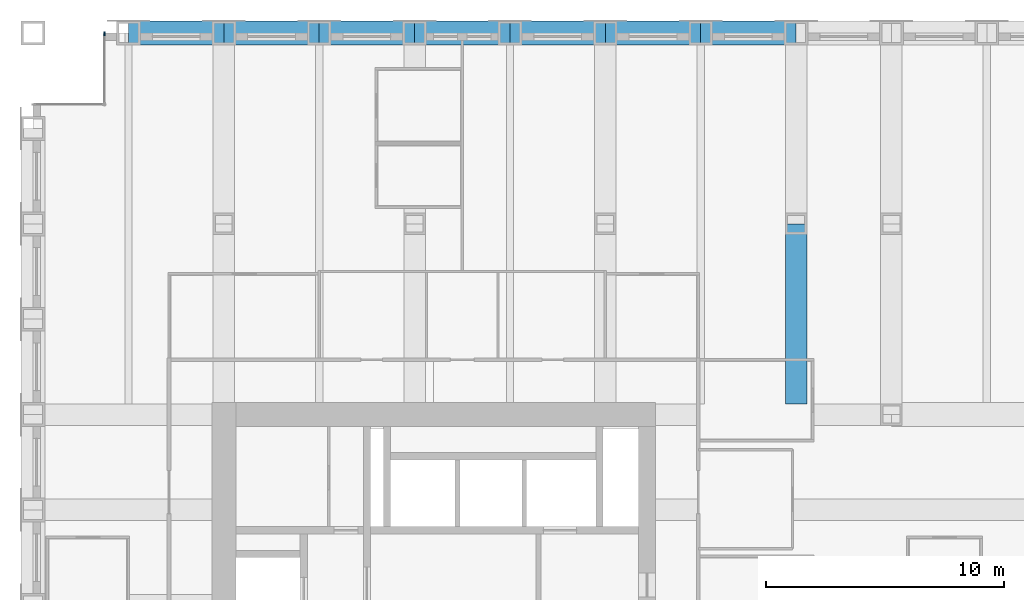
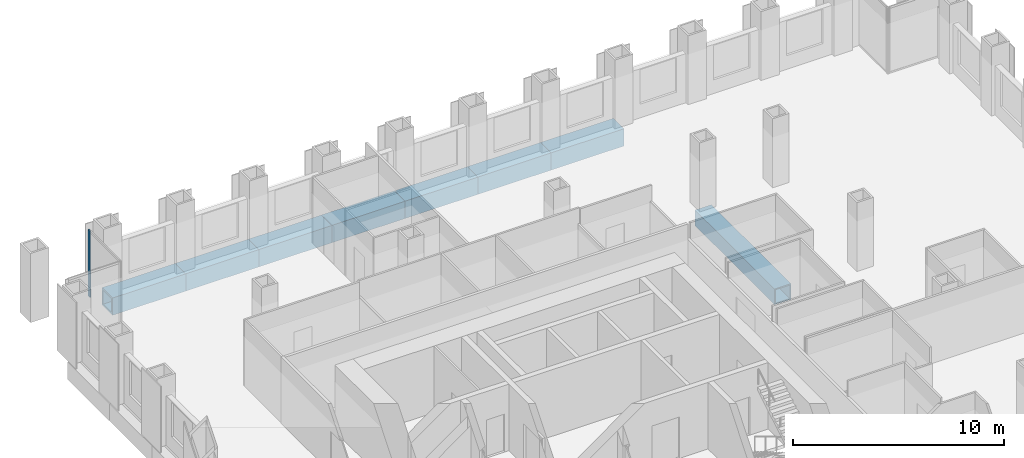
# One storey, part 8 of 16: 8 beams, 1 member, 1 element without a shape of its own.
"""IFC4 building model written with IfcOpenShell, lengths in metres."""

from ifc_helpers import new_model, si_unit, direction, frame, origin, origin_2d, place, context, subcontext, project, spatial, rectangle, hollow_rectangle, extrude, material, material_profile, profile_set, type_object, element, aggregate, save


model = new_model("IFC4")

# Units and contexts
model_context = context("Model", 3, precision=1e-05, world=origin(), true_north=direction((0.0, 1.0)))
body_context = subcontext(model_context, "Body", "Model", "MODEL_VIEW")
ifc_project = project(units=[si_unit("LENGTHUNIT", "METRE"), si_unit("AREAUNIT", "SQUARE_METRE"), si_unit("VOLUMEUNIT", "CUBIC_METRE"), si_unit("PLANEANGLEUNIT", "RADIAN"), si_unit("MASSUNIT", "GRAM", prefix="KILO")], contexts=[model_context])

# Site, building, storey
site_placement = place(None, origin())
site = spatial("IfcSite", under=ifc_project, at=site_placement, CompositionType="ELEMENT")
building_placement = place(site_placement, origin())
building = spatial("IfcBuilding", under=site, at=building_placement, Name="Rimbunsela Tower", CompositionType="ELEMENT")
storey_placement = place(building_placement, frame((0.0, 0.0, 125.39990234375)))
storey = spatial("IfcBuildingStorey", under=building, at=storey_placement, Name="L30", CompositionType="ELEMENT", Elevation=125.39990234375)

# Beams
ifc_material_1 = material(Name="Steel BJ 55 (fy 410 MPa)", Category="steel")
ifc_material_profile_1 = material_profile(ifc_material_1, hollow_rectangle(XDim=1.0, YDim=1.0, WallThickness=0.10009765625, at=origin_2d()), Name="BOX 1000x1000x100")
ifc_profile_set_1 = profile_set([ifc_material_profile_1], Name="Steel BJ 55 (fy 410 MPa)")
beam_type_1 = type_object("IfcBeamType", Name="Beam BOX 1000x1000x100", PredefinedType="BEAM", material=ifc_profile_set_1)
for number, where, z_axis, x_axis, name in (
    (1, (14.0, 52.0, -0.64990234375), (1.0, 0.0, 0.0), (0.0, 1.0, 0.0), "Beam B3 L30"),
    (2, (18.0, 52.0, -0.64990234375), (1.0, 0.0, 0.0), (0.0, 1.0, 0.0), "Beam B3 L30"),
    (3, (22.0, 52.0, -0.64990234375), (1.0, 0.0, 0.0), (0.0, 1.0, 0.0), "Beam B3 L30"),
    (4, (26.0, 52.0, -0.64990234375), (1.0, 0.0, 0.0), (0.0, 1.0, 0.0), "Beam B3 L30"),
    (5, (30.0, 52.0, -0.64990234375), (1.0, 0.0, 0.0), (0.0, 1.0, 0.0), "Beam B3 L30"),
    (6, (34.0, 52.0, -0.64990234375), (1.0, 0.0, 0.0), (0.0, 1.0, 0.0), "Beam B3 L30"),
    (7, (38.0, 52.0, -0.64990234375), (1.0, 0.0, 0.0), (0.0, 1.0, 0.0), "Beam B3 L30"),
):
    element("IfcBeam", number, at=place(storey_placement, frame(where, z_axis=z_axis, x_axis=x_axis)), inside=storey, type_object=beam_type_1, Name=name, PredefinedType="BEAM", context=body_context, shape_type="SweptSolid", body=[
        extrude(hollow_rectangle(XDim=1.0, YDim=1.0, WallThickness=0.10009765625, at=origin_2d()), origin(), (0.0, 0.0, 1.0), 4.0),
    ])
ifc_material_2 = material(Name="Steel BJ 55 (fy 410 MPa)", Category="steel")
ifc_material_profile_2 = material_profile(ifc_material_2, hollow_rectangle(XDim=0.89990234375, YDim=0.89990234375, WallThickness=0.06005859375, at=origin_2d()), Name="BOX 900x900x60")
ifc_profile_set_2 = profile_set([ifc_material_profile_2], Name="Steel BJ 55 (fy 410 MPa)")
beam_type_2 = type_object("IfcBeamType", Name="Beam BOX 900x900x60", PredefinedType="BEAM", material=ifc_profile_set_2)
beam_placement = place(storey_placement, frame((42.0, 36.449951171875, -0.599853515625), z_axis=(0.0, 1.0, 0.0), x_axis=(-1.0, 0.0, 0.0)))
element("IfcBeam", 8, at=beam_placement, inside=storey, type_object=beam_type_2, Name="Beam B1 L30", PredefinedType="BEAM", context=body_context, shape_type="SweptSolid", body=[
    extrude(hollow_rectangle(XDim=0.89990234375, YDim=0.89990234375, WallThickness=0.06005859375, at=origin_2d()), origin(), (0.0, 0.0, 1.0), 7.550048828125),
])

# Curtain wall, member
ifc_material_3 = material(Name="Aluminium curtain wall", Category="aluminium")
curtain_wall_type = type_object("IfcCurtainWallType", Name="Corner glazing", PredefinedType="USERDEFINED", material=ifc_material_3)
curtain_wall_placement = place(storey_placement, origin())
curtain_wall = element("IfcCurtainWall", 9, at=curtain_wall_placement, inside=storey, type_object=curtain_wall_type, Name="Corner glazing L30", ObjectType="CORNER GLAZING", PredefinedType="USERDEFINED")
ifc_material_4 = material(Name="Aluminium mullion", Category="aluminium")
ifc_material_profile_3 = material_profile(ifc_material_4, rectangle(XDim=0.06005859375, YDim=0.159912109375, at=origin_2d()), Name="Mullion 60x160")
ifc_profile_set_3 = profile_set([ifc_material_profile_3], Name="Aluminium mullion")
member_type = type_object("IfcMemberType", Name="Curtain wall mullion 60x160", PredefinedType="MULLION", material=ifc_profile_set_3)
member_placement = place(storey_placement, frame((13.0, 51.969970703125, 0.0), z_axis=(0.0, 0.0, 1.0), x_axis=(1.0, 0.0, 0.0)))
member = element("IfcMember", 10, at=member_placement, type_object=member_type, Name="CW5 mullion 1", PredefinedType="MULLION", context=body_context, shape_type="SweptSolid", body=[
    extrude(rectangle(XDim=0.06005859375, YDim=0.159912109375, at=origin_2d()), origin(), (0.0, 0.0, 1.0), 3.85009765625),
])
aggregate(curtain_wall, [member])

save(model, "model.ifc")
